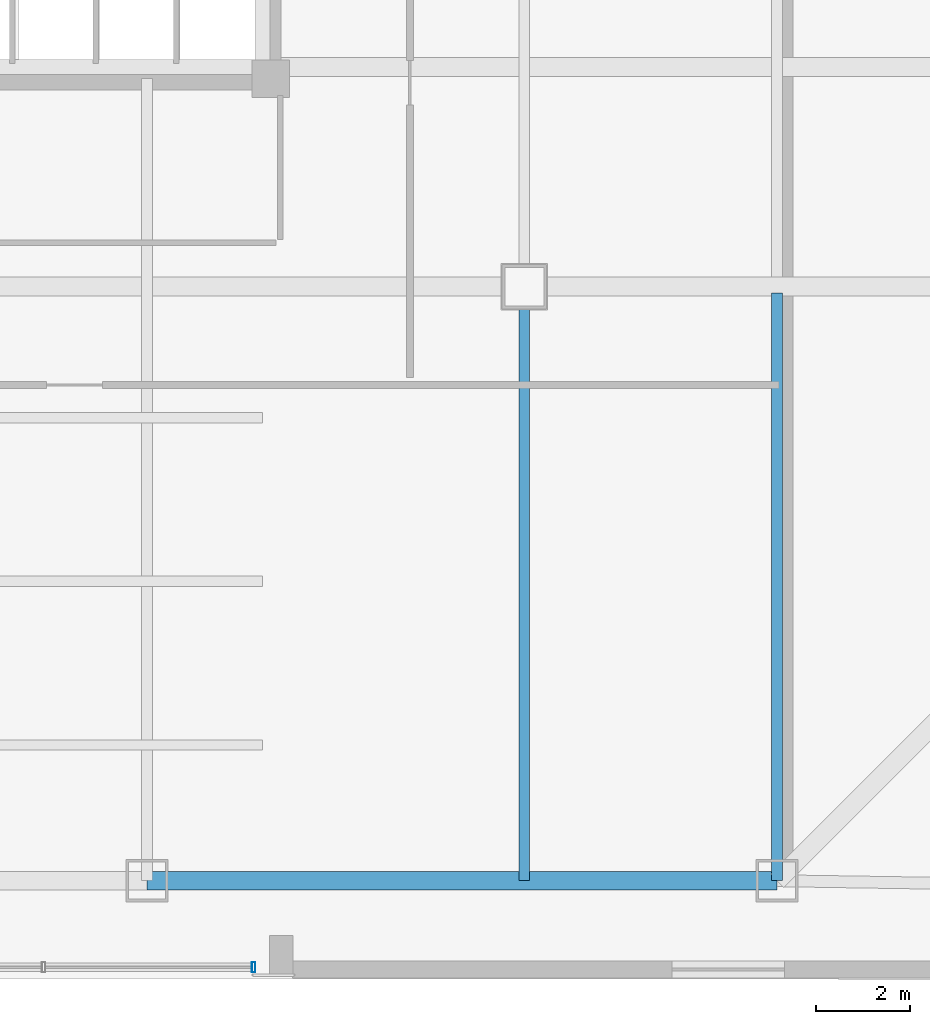
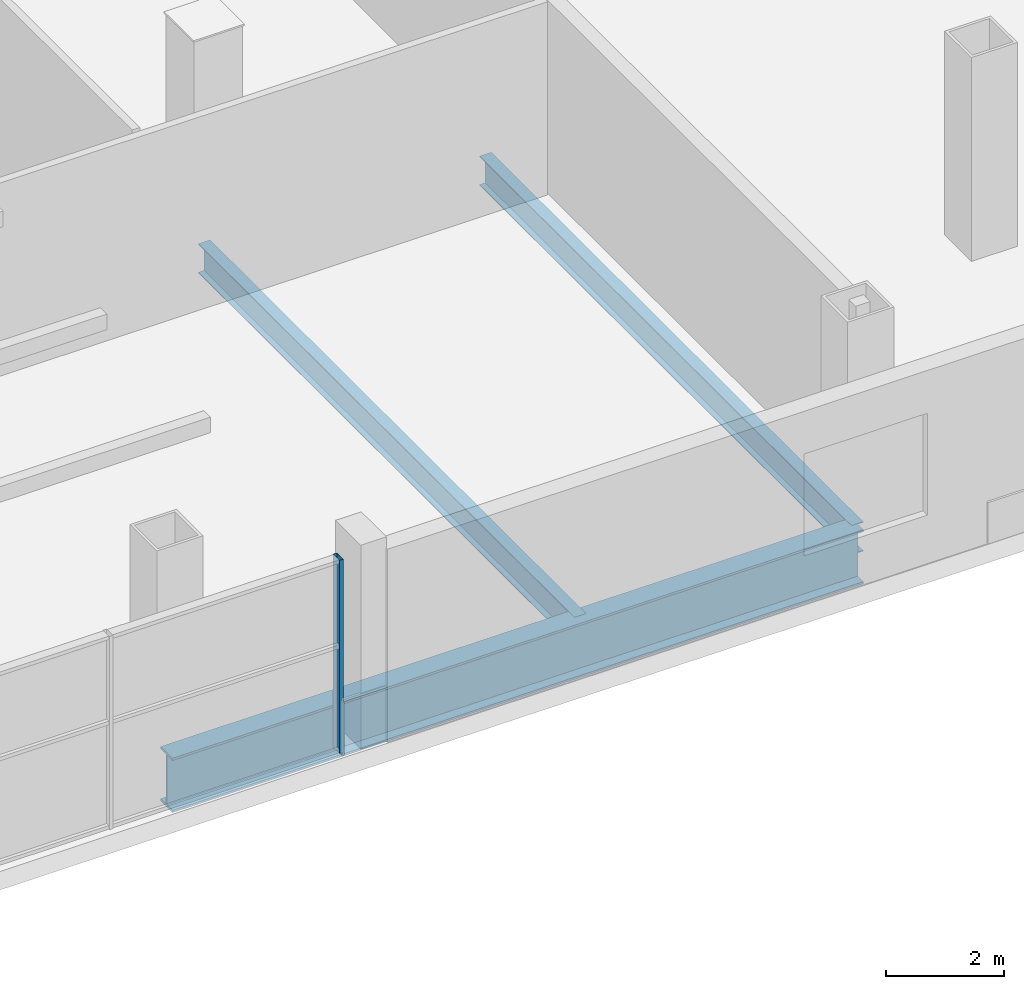
# One storey, part 6 of 21: 3 beams, 1 member, 1 element without a shape of its own.
"""IFC4 building model written with IfcOpenShell, lengths in metres."""

from ifc_helpers import new_model, si_unit, direction, frame, origin, origin_2d, place, context, subcontext, project, spatial, hollow_rectangle, i_section, extrude, material, layer, layer_set, material_profile, profile_set, type_object, element, aggregate, save


model = new_model("IFC4")

# Units and contexts
model_context = context("Model", 3, precision=1e-05, world=origin(), true_north=direction((0.0, 1.0)))
body_context = subcontext(model_context, "Body", "Model", "MODEL_VIEW")
ifc_project = project(units=[si_unit("LENGTHUNIT", "METRE"), si_unit("AREAUNIT", "SQUARE_METRE"), si_unit("VOLUMEUNIT", "CUBIC_METRE"), si_unit("PLANEANGLEUNIT", "RADIAN"), si_unit("MASSUNIT", "GRAM", prefix="KILO")], contexts=[model_context])

# Site, building, storey
site_placement = place(None, origin())
site = spatial("IfcSite", under=ifc_project, at=site_placement, CompositionType="ELEMENT")
building_placement = place(site_placement, origin())
building = spatial("IfcBuilding", under=site, at=building_placement, Name="Qhalaya Broadcast Tower", CompositionType="ELEMENT")
storey_placement = place(building_placement, frame((0.0, 0.0, 21.89990234375)))
storey = spatial("IfcBuildingStorey", under=building, at=storey_placement, Name="L05", CompositionType="ELEMENT", Elevation=21.89990234375)

# Beams
ifc_material_1 = material(Name="Structural Steel ASTM A992 Grade 50", Category="steel")
ifc_material_profile_1 = material_profile(ifc_material_1, i_section(OverallWidth=0.22802734375, OverallDepth=0.60693359375, WebThickness=0.01123046875, FlangeThickness=0.017333984375, at=origin_2d()), Name="W24X76")
ifc_profile_set_1 = profile_set([ifc_material_profile_1], Name="Structural Steel ASTM A992 Grade 50")
beam_type_1 = type_object("IfcBeamType", Name="Composite Floor Joist J01", PredefinedType="JOIST", material=ifc_profile_set_1)
beam_1_placement = place(storey_placement, frame((14.800048828125, -25.89990234375, -0.683349609375), z_axis=(0.0, 1.0, 0.0), x_axis=(-1.0, 0.0, 0.0)))
element("IfcBeam", 1, at=beam_1_placement, inside=storey, type_object=beam_type_1, Name="L05 J01 L05-JS-S+14.8", PredefinedType="JOIST", context=body_context, shape_type="SweptSolid", body=[
    extrude(i_section(OverallWidth=0.22802734375, OverallDepth=0.60693359375, WebThickness=0.01123046875, FlangeThickness=0.017333984375, at=origin_2d()), origin(), (0.0, 0.0, 1.0), 12.699951171875),
])
beam_2_placement = place(storey_placement, frame((20.199951171875, -25.89990234375, -0.683349609375), z_axis=(0.0, 1.0, 0.0), x_axis=(-1.0, 0.0, 0.0)))
element("IfcBeam", 2, at=beam_2_placement, inside=storey, type_object=beam_type_1, Name="L05 J01 L05-JS-S+20.2", PredefinedType="JOIST", context=body_context, shape_type="SweptSolid", body=[
    extrude(i_section(OverallWidth=0.22802734375, OverallDepth=0.60693359375, WebThickness=0.01123046875, FlangeThickness=0.017333984375, at=origin_2d()), origin(), (0.0, 0.0, 1.0), 12.559814453125),
])
ifc_material_profile_2 = material_profile(ifc_material_1, i_section(OverallWidth=0.404052734375, OverallDepth=1.117919921875, WebThickness=0.026123046875, FlangeThickness=0.044921875, at=origin_2d()), Name="W44X335")
ifc_profile_set_2 = profile_set([ifc_material_profile_2], Name="Structural Steel ASTM A992 Grade 50")
beam_type_2 = type_object("IfcBeamType", Name="Podium Long-Span Primary Girder PG1", PredefinedType="USERDEFINED", material=ifc_profile_set_2)
beam_3_placement = place(storey_placement, frame((6.7333984375, -25.89990234375, -0.93896484375), z_axis=(1.0, 0.0, 0.0), x_axis=(0.0, 1.0, 0.0)))
element("IfcBeam", 3, at=beam_3_placement, inside=storey, type_object=beam_type_2, Name="L05 PG1 L05-PG-R03", ObjectType="GIRDER", PredefinedType="USERDEFINED", context=body_context, shape_type="SweptSolid", body=[
    extrude(i_section(OverallWidth=0.404052734375, OverallDepth=1.117919921875, WebThickness=0.026123046875, FlangeThickness=0.044921875, at=origin_2d()), origin(), (0.0, 0.0, 1.0), 13.466552734375),
])

# Curtain wall, member
ifc_material_2 = material(Name="Solar-Control Low-E Triple Glazing", Category="glass")
ifc_layer = layer(ifc_material_2, 0.219970703125, Name="Solar-Control Low-E Triple Glazing")
ifc_layer_set = layer_set([ifc_layer], Name="Solar-Control Low-E Triple Glazing")
curtain_wall_type = type_object("IfcCurtainWallType", Name="Podium Concourse Triple-Height Glazed Portal CW-01", PredefinedType="NOTDEFINED", material=ifc_layer_set)
curtain_wall_placement = place(storey_placement, origin())
curtain_wall = element("IfcCurtainWall", 4, at=curtain_wall_placement, inside=storey, type_object=curtain_wall_type, Name="L05 Unitised Curtain Wall L05-CW01-S", PredefinedType="NOTDEFINED")
ifc_material_3 = material(Name="Anodised Aluminium 6063-T6", Category="aluminium")
ifc_material_profile_3 = material_profile(ifc_material_3, hollow_rectangle(XDim=0.074951171875, YDim=0.219970703125, WallThickness=0.00390625, at=origin_2d()), Name="ALU-MUL 75x220x4")
ifc_profile_set_3 = profile_set([ifc_material_profile_3], Name="Anodised Aluminium 6063-T6")
member_type = type_object("IfcMemberType", Name="Unitised Curtain-Wall Mullion M01", PredefinedType="MULLION", material=ifc_profile_set_3)
member_placement = place(storey_placement, frame((9.012451171875, -27.75, 0.0), z_axis=(0.0, 0.0, 1.0), x_axis=(1.0, 0.0, 0.0)))
member = element("IfcMember", 5, at=member_placement, type_object=member_type, Name="CW-01 mullion 5", PredefinedType="MULLION", context=body_context, shape_type="SweptSolid", body=[
    extrude(hollow_rectangle(XDim=0.074951171875, YDim=0.219970703125, WallThickness=0.00390625, at=origin_2d()), origin(), (0.0, 0.0, 1.0), 3.97998046875),
])
aggregate(curtain_wall, [member])

save(model, "model.ifc")
